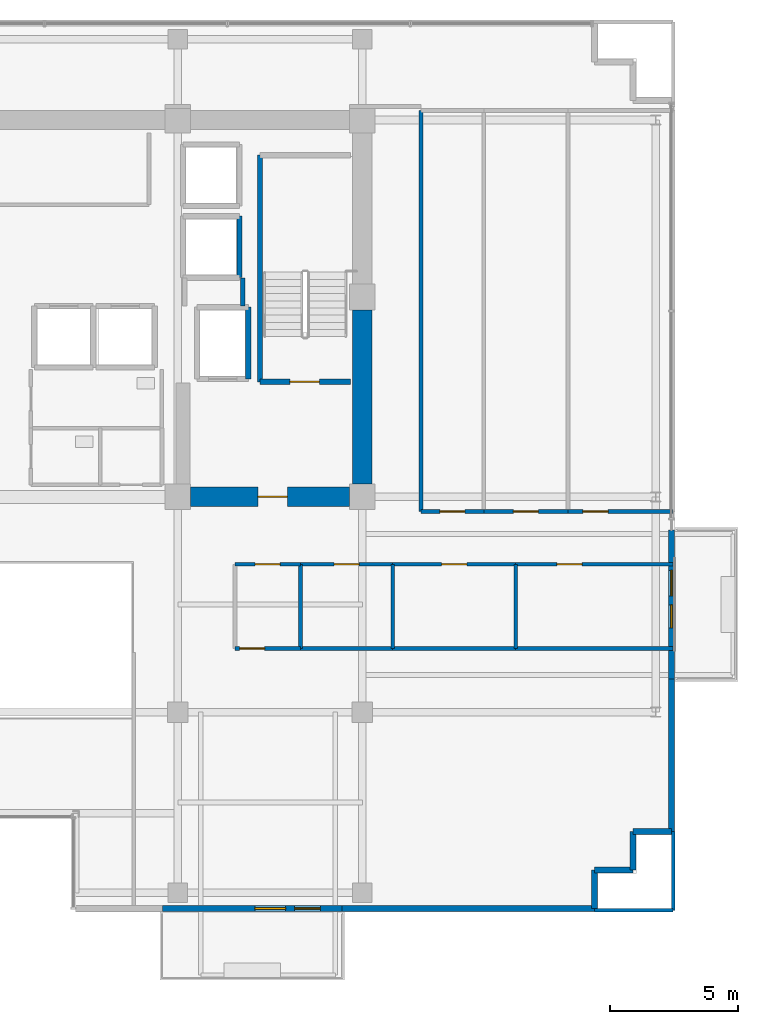
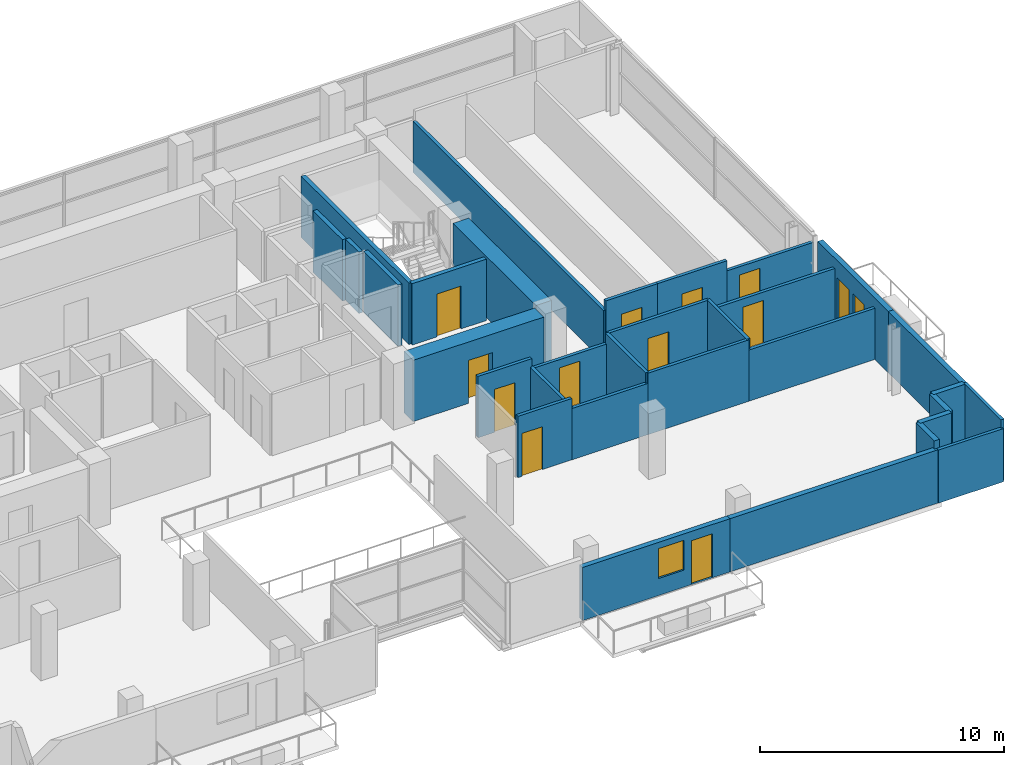
# One storey, part 17 of 21: 32 walls, 12 doors, 2 windows, 14 openings.
"""IFC4 building model written with IfcOpenShell, lengths in metres."""

from ifc_helpers import new_model, si_unit, direction, frame, frame_2d, origin, place, context, subcontext, project, spatial, rectangle, extrude, source, transform, mapped, material, layer, layer_set, type_object, element, fill, save


model = new_model("IFC4")

# Units and contexts
model_context = context("Model", 3, precision=1e-05, world=origin(), true_north=direction((0.0, 1.0)))
body_context = subcontext(model_context, "Body", "Model", "MODEL_VIEW")
ifc_project = project(units=[si_unit("LENGTHUNIT", "METRE"), si_unit("AREAUNIT", "SQUARE_METRE"), si_unit("VOLUMEUNIT", "CUBIC_METRE"), si_unit("PLANEANGLEUNIT", "RADIAN"), si_unit("MASSUNIT", "GRAM", prefix="KILO")], contexts=[model_context])

# Site, building, storey
site_placement = place(None, origin())
site = spatial("IfcSite", under=ifc_project, at=site_placement, CompositionType="ELEMENT")
building_placement = place(site_placement, origin())
building = spatial("IfcBuilding", under=site, at=building_placement, Name="Zarnakvel Exchange Tower", CompositionType="ELEMENT")
storey_placement = place(building_placement, frame((0.0, 0.0, 189.10009765625)))
storey = spatial("IfcBuildingStorey", under=building, at=storey_placement, Name="L53", CompositionType="ELEMENT", Elevation=189.10009765625)

# Wall
ifc_material_1 = material(Name="Concrete C60/75", Category="concrete")
ifc_layer_1 = layer(ifc_material_1, 0.75)
ifc_layer_set_1 = layer_set([ifc_layer_1], Name="Concrete C60/75")
wall_type_1 = type_object("IfcWallType", Name="CW-C3", PredefinedType="SHEAR", material=ifc_layer_set_1)
wall_1_placement = place(storey_placement, frame((14.39990234375, -0.699951171875, 0.0), z_axis=(0.0, 0.0, 1.0), x_axis=(0.0, 1.0, 0.0)))
element("IfcWall", 1, at=wall_1_placement, inside=storey, type_object=wall_type_1, Name="L53 Rear Core Shear Wall E1 (CW-C3)", PredefinedType="SHEAR", context=body_context, shape_type="SweptSolid", body=[
    extrude(rectangle(XDim=6.800048828125, YDim=0.75, at=frame_2d((3.39990234375, 0.0))), origin(), (0.0, 0.0, 1.0), 3.074951171875),
])

# Wall, opening, door
wall_2_placement = place(storey_placement, frame((13.89990234375, -1.199951171875, 0.0), z_axis=(0.0, 0.0, 1.0), x_axis=(-1.0, 0.0, 0.0)))
wall_2 = element("IfcWall", 2, at=wall_2_placement, inside=storey, type_object=wall_type_1, Name="L53 Rear Core Shear Wall SE (CW-C3)", PredefinedType="SHEAR", context=body_context, shape_type="SweptSolid", body=[
    extrude(rectangle(XDim=6.199951171875, YDim=0.75, at=frame_2d((3.10009765625, 0.0))), origin(), (0.0, 0.0, 1.0), 3.074951171875),
])
opening_1_placement = place(wall_2_placement, frame((2.425048828125, 0.0, 0.0)))
opening_1 = element("IfcOpeningElement", 3, at=opening_1_placement, cuts=wall_2, Name="Opening D-L53-04", PredefinedType="OPENING", context=body_context, shape_type="SweptSolid", body=[
    extrude(rectangle(XDim=1.14990234375, YDim=2.14990234375, at=frame_2d((0.574951171875, 1.074951171875))), frame((0.0, 0.385009765625, 0.0), z_axis=(0.0, -1.0, 0.0), x_axis=(1.0, 0.0, 0.0)), (0.0, 0.0, 1.0), 0.77001953125),
])
ifc_material_2 = material(Name="Painted Galvanised Steel S355", Category="steel")
door_type_1 = type_object("IfcDoorType", Name="DT-04", OperationType="NOTDEFINED", PredefinedType="DOOR", material=ifc_material_2)
shared_shape_1 = source(origin(), body_context, "Body", "SweptSolid", [
    extrude(rectangle(XDim=1.14990234375, YDim=2.14990234375, at=frame_2d((0.574951171875, 1.074951171875))), frame((0.0, 0.02490234375, 0.0), z_axis=(0.0, -1.0, 0.0), x_axis=(1.0, 0.0, 0.0)), (0.0, 0.0, 1.0), 0.050048828125),
])
door_1_placement = place(opening_1_placement, origin())
door_1 = element("IfcDoor", 4, at=door_1_placement, inside=storey, type_object=door_type_1, Name="L53 Firefighting Lobby East Door D-L53-04", OperationType="SINGLE_SWING_RIGHT", OverallHeight=2.14990234375, OverallWidth=1.14990234375, PredefinedType="DOOR", context=body_context, shape_type="MappedRepresentation", body=[
    mapped(shared_shape_1, transform((0.0, 0.0, 0.0), x_axis=(1.0, 0.0, 0.0), y_axis=(0.0, 1.0, 0.0), z_axis=(0.0, 0.0, 1.0), scale=1.0)),
])
fill(opening_1, door_1)

# Wall, openings, door, window
ifc_material_3 = material(Name="Precast concrete C40/50", Category="concrete")
ifc_layer_2 = layer(ifc_material_3, 0.239990234375)
ifc_layer_set_2 = layer_set([ifc_layer_2], Name="Precast concrete C40/50")
wall_type_2 = type_object("IfcWallType", Name="EW-02", PredefinedType="SOLIDWALL", material=ifc_layer_set_2)
wall_3_placement = place(storey_placement, frame((13.60009765625, -17.260009765625, 0.0), z_axis=(0.0, 0.0, 1.0), x_axis=(-1.0, 0.0, 0.0)))
wall_3 = element("IfcWall", 5, at=wall_3_placement, inside=storey, type_object=wall_type_2, Name="L53 Exterior Precast Spandrel Wall EW-BAL-L53-SE (EW-02)", PredefinedType="SOLIDWALL", context=body_context, shape_type="SweptSolid", body=[
    extrude(rectangle(XDim=7.0, YDim=0.239990234375, at=frame_2d((3.5, 0.0))), origin(), (0.0, 0.0, 1.0), 2.664794921875),
])
opening_2_placement = place(wall_3_placement, frame((0.840087890625, 0.0, 0.0)))
opening_2 = element("IfcOpeningElement", 6, at=opening_2_placement, cuts=wall_3, Name="Opening BD-L53-02", PredefinedType="OPENING", context=body_context, shape_type="SweptSolid", body=[
    extrude(rectangle(XDim=1.0, YDim=2.199951171875, at=frame_2d((0.5, 1.10009765625))), frame((0.0, 0.1298828125, 0.0), z_axis=(0.0, -1.0, 0.0), x_axis=(1.0, 0.0, 0.0)), (0.0, 0.0, 1.0), 0.260009765625),
])
opening_3_placement = place(wall_3_placement, frame((2.18994140625, 0.0, 0.85009765625)))
opening_3 = element("IfcOpeningElement", 7, at=opening_3_placement, cuts=wall_3, Name="Opening WN-04", PredefinedType="OPENING", context=body_context, shape_type="SweptSolid", body=[
    extrude(rectangle(XDim=1.199951171875, YDim=1.5, at=frame_2d((0.60009765625, 0.75))), frame((0.0, 0.1298828125, 0.0), z_axis=(0.0, -1.0, 0.0), x_axis=(1.0, 0.0, 0.0)), (0.0, 0.0, 1.0), 0.260009765625),
])
ifc_material_4 = material(Name="Architectural Bronze Anodised Aluminium", Category="aluminium")
door_type_2 = type_object("IfcDoorType", Name="DT-09", OperationType="NOTDEFINED", PredefinedType="DOOR", material=ifc_material_4)
shared_shape_2 = source(origin(), body_context, "Body", "SweptSolid", [
    extrude(rectangle(XDim=1.0, YDim=2.199951171875, at=frame_2d((0.5, 1.10009765625))), frame((0.0, 0.02490234375, 0.0), z_axis=(0.0, -1.0, 0.0), x_axis=(1.0, 0.0, 0.0)), (0.0, 0.0, 1.0), 0.050048828125),
])
door_2_placement = place(opening_2_placement, origin())
door_2 = element("IfcDoor", 8, at=door_2_placement, inside=storey, type_object=door_type_2, Name="L53 Planted Loggia Balcony Door BD-L53-02", OperationType="SINGLE_SWING_RIGHT", OverallHeight=2.199951171875, OverallWidth=1.0, PredefinedType="DOOR", context=body_context, shape_type="MappedRepresentation", body=[
    mapped(shared_shape_2, transform((0.0, 0.0, 0.0), x_axis=(1.0, 0.0, 0.0), y_axis=(0.0, 1.0, 0.0), z_axis=(0.0, 0.0, 1.0), scale=1.0)),
])
fill(opening_2, door_2)
ifc_material_5 = material(Name="Double Low-E Laminated Vision Glass", Category="glass")
window_type_1 = type_object("IfcWindowType", Name="WN-04", PartitioningType="SINGLE_PANEL", PredefinedType="WINDOW", material=ifc_material_5)
shared_shape_3 = source(origin(), body_context, "Body", "SweptSolid", [
    extrude(rectangle(XDim=1.199951171875, YDim=1.5, at=frame_2d((0.60009765625, 0.75))), frame((0.0, 0.030029296875, 0.0), z_axis=(0.0, -1.0, 0.0), x_axis=(1.0, 0.0, 0.0)), (0.0, 0.0, 1.0), 0.06005859375),
])
window_1_placement = place(opening_3_placement, origin())
window_1 = element("IfcWindow", 9, at=window_1_placement, inside=storey, type_object=window_type_1, Name="L53 Loggia Daylight Window (WN-04)", OverallHeight=1.5, OverallWidth=1.199951171875, PartitioningType="SINGLE_PANEL", PredefinedType="WINDOW", context=body_context, shape_type="MappedRepresentation", body=[
    mapped(shared_shape_3, transform((0.0, 0.0, 0.0), x_axis=(1.0, 0.0, 0.0), y_axis=(0.0, 1.0, 0.0), z_axis=(0.0, 0.0, 1.0), scale=1.0)),
])
fill(opening_3, window_1)

wall_4_placement = place(storey_placement, frame((26.4599609375, -2.5, 0.0), z_axis=(0.0, 0.0, 1.0), x_axis=(0.0, -1.0, 0.0)))
wall_4 = element("IfcWall", 10, at=wall_4_placement, inside=storey, type_object=wall_type_2, Name="L53 Exterior Precast Spandrel Wall EW-BAL-L53-E (EW-02)", PredefinedType="SOLIDWALL", context=body_context, shape_type="SweptSolid", body=[
    extrude(rectangle(XDim=5.800048828125, YDim=0.239990234375, at=frame_2d((2.89990234375, 0.0))), origin(), (0.0, 0.0, 1.0), 3.074951171875),
])
opening_4_placement = place(wall_4_placement, frame((1.56591796875, 0.0, 0.0)))
opening_4 = element("IfcOpeningElement", 11, at=opening_4_placement, cuts=wall_4, Name="Opening BD-L53-03", PredefinedType="OPENING", context=body_context, shape_type="SweptSolid", body=[
    extrude(rectangle(XDim=1.0, YDim=2.199951171875, at=frame_2d((0.5, 1.10009765625))), frame((0.0, 0.1298828125, 0.0), z_axis=(0.0, -1.0, 0.0), x_axis=(1.0, 0.0, 0.0)), (0.0, 0.0, 1.0), 0.260009765625),
])
opening_5_placement = place(wall_4_placement, frame((2.916015625, 0.0, 0.85009765625)))
opening_5 = element("IfcOpeningElement", 12, at=opening_5_placement, cuts=wall_4, Name="Opening WN-06", PredefinedType="OPENING", context=body_context, shape_type="SweptSolid", body=[
    extrude(rectangle(XDim=0.89990234375, YDim=1.35009765625, at=frame_2d((0.449951171875, 0.675048828125))), frame((0.0, 0.1298828125, 0.0), z_axis=(0.0, -1.0, 0.0), x_axis=(1.0, 0.0, 0.0)), (0.0, 0.0, 1.0), 0.260009765625),
])
door_3_placement = place(opening_4_placement, origin())
door_3 = element("IfcDoor", 13, at=door_3_placement, inside=storey, type_object=door_type_2, Name="L53 Planted Loggia Balcony Door BD-L53-03", OperationType="SINGLE_SWING_LEFT", OverallHeight=2.199951171875, OverallWidth=1.0, PredefinedType="DOOR", context=body_context, shape_type="MappedRepresentation", body=[
    mapped(shared_shape_2, transform((0.0, 0.0, 0.0), x_axis=(1.0, 0.0, 0.0), y_axis=(0.0, 1.0, 0.0), z_axis=(0.0, 0.0, 1.0), scale=1.0)),
])
fill(opening_4, door_3)
window_type_2 = type_object("IfcWindowType", Name="WN-06", PartitioningType="SINGLE_PANEL", PredefinedType="WINDOW", material=ifc_material_5)
shared_shape_4 = source(origin(), body_context, "Body", "SweptSolid", [
    extrude(rectangle(XDim=0.89990234375, YDim=1.35009765625, at=frame_2d((0.449951171875, 0.675048828125))), frame((0.0, 0.030029296875, 0.0), z_axis=(0.0, -1.0, 0.0), x_axis=(1.0, 0.0, 0.0)), (0.0, 0.0, 1.0), 0.06005859375),
])
window_2_placement = place(opening_5_placement, origin())
window_2 = element("IfcWindow", 14, at=window_2_placement, inside=storey, type_object=window_type_2, Name="L53 Loggia Daylight Window (WN-06)", OverallHeight=1.35009765625, OverallWidth=0.89990234375, PartitioningType="SINGLE_PANEL", PredefinedType="WINDOW", context=body_context, shape_type="MappedRepresentation", body=[
    mapped(shared_shape_4, transform((0.0, 0.0, 0.0), x_axis=(1.0, 0.0, 0.0), y_axis=(0.0, 1.0, 0.0), z_axis=(0.0, 0.0, 1.0), scale=1.0)),
])
fill(opening_5, window_2)

# Walls
wall_5_placement = place(storey_placement, frame((26.4599609375, -14.260009765625, 0.0), z_axis=(0.0, 0.0, 1.0), x_axis=(0.0, 1.0, 0.0)))
element("IfcWall", 15, at=wall_5_placement, inside=storey, type_object=wall_type_2, Name="L53 Exterior Precast Spandrel Wall EWC-L53-10 (EW-02)", PredefinedType="SOLIDWALL", context=body_context, shape_type="SweptSolid", body=[
    extrude(rectangle(XDim=5.9599609375, YDim=0.239990234375, at=frame_2d((2.97998046875, 0.0))), origin(), (0.0, 0.0, 1.0), 3.074951171875),
])
for number, where, z_axis, x_axis, name in (
    (16, (24.9599609375, -14.260009765625, 0.0), (0.0, 0.0, 1.0), (1.0, 0.0, 0.0), "L53 Exterior Precast Spandrel Wall EWC-L53-11 (EW-02)"),
    (17, (24.9599609375, -15.760009765625, 0.0), (0.0, 0.0, 1.0), (0.0, 1.0, 0.0), "L53 Exterior Precast Spandrel Wall EWC-L53-12 (EW-02)"),
    (18, (23.4599609375, -15.760009765625, 0.0), (0.0, 0.0, 1.0), (1.0, 0.0, 0.0), "L53 Exterior Precast Spandrel Wall EWC-L53-13 (EW-02)"),
    (19, (23.4599609375, -17.260009765625, 0.0), (0.0, 0.0, 1.0), (0.0, 1.0, 0.0), "L53 Exterior Precast Spandrel Wall EWC-L53-14 (EW-02)"),
):
    element("IfcWall", number, at=place(storey_placement, frame(where, z_axis=z_axis, x_axis=x_axis)), inside=storey, type_object=wall_type_2, Name=name, PredefinedType="SOLIDWALL", context=body_context, shape_type="SweptSolid", body=[
        extrude(rectangle(XDim=1.5, YDim=0.239990234375, at=frame_2d((0.75, 0.0))), origin(), (0.0, 0.0, 1.0), 3.074951171875),
    ])
wall_6_placement = place(storey_placement, frame((13.60009765625, -17.260009765625, 0.0), z_axis=(0.0, 0.0, 1.0), x_axis=(1.0, 0.0, 0.0)))
element("IfcWall", 20, at=wall_6_placement, inside=storey, type_object=wall_type_2, Name="L53 Exterior Precast Spandrel Wall EWC-L53-15 (EW-02)", PredefinedType="SOLIDWALL", context=body_context, shape_type="SweptSolid", body=[
    extrude(rectangle(XDim=9.85986328125, YDim=0.239990234375, at=frame_2d((4.929931640625, 0.0))), origin(), (0.0, 0.0, 1.0), 2.664794921875),
])

# Wall, opening, door
ifc_material_6 = material(Name="Fire-Rated Gypsum Stud Partition", Category="gypsum")
ifc_layer_3 = layer(ifc_material_6, 0.14990234375)
ifc_layer_set_3 = layer_set([ifc_layer_3], Name="Fire-Rated Gypsum Stud Partition")
wall_type_3 = type_object("IfcWallType", Name="PT-01", PredefinedType="PARTITIONING", material=ifc_layer_set_3)
wall_7_placement = place(storey_placement, frame((11.984130859375, -7.1201171875, 0.0), z_axis=(0.0, 0.0, 1.0), x_axis=(-1.0, 0.0, 0.0)))
wall_7 = element("IfcWall", 21, at=wall_7_placement, inside=storey, type_object=wall_type_3, Name="L53 Partition Wall PWALL-L53-038 (PT-01)", PredefinedType="PARTITIONING", context=body_context, shape_type="SweptSolid", body=[
    extrude(rectangle(XDim=2.55419921875, YDim=0.14990234375, at=frame_2d((1.277099609375, 0.0))), origin(), (0.0, 0.0, 1.0), 3.074951171875),
])
opening_6_placement = place(wall_7_placement, frame((1.394287109375, 0.0, 0.0)))
opening_6 = element("IfcOpeningElement", 22, at=opening_6_placement, cuts=wall_7, Name="Opening D-L53-18", PredefinedType="OPENING", context=body_context, shape_type="SweptSolid", body=[
    extrude(rectangle(XDim=0.97998046875, YDim=2.14990234375, at=frame_2d((0.489990234375, 1.074951171875))), frame((0.0, 0.0849609375, 0.0), z_axis=(0.0, -1.0, 0.0), x_axis=(1.0, 0.0, 0.0)), (0.0, 0.0, 1.0), 0.169921875),
])
ifc_material_7 = material(Name="Timber Acoustic Veneer", Category="wood")
door_type_3 = type_object("IfcDoorType", Name="DT-05", OperationType="NOTDEFINED", PredefinedType="DOOR", material=ifc_material_7)
shared_shape_5 = source(origin(), body_context, "Body", "SweptSolid", [
    extrude(rectangle(XDim=0.97998046875, YDim=2.14990234375, at=frame_2d((0.489990234375, 1.074951171875))), frame((0.0, 0.02490234375, 0.0), z_axis=(0.0, -1.0, 0.0), x_axis=(1.0, 0.0, 0.0)), (0.0, 0.0, 1.0), 0.050048828125),
])
door_4_placement = place(opening_6_placement, origin())
door_4 = element("IfcDoor", 23, at=door_4_placement, inside=storey, type_object=door_type_3, Name="L53 Asset Management Office Door D-L53-18", OperationType="SINGLE_SWING_RIGHT", OverallHeight=2.14990234375, OverallWidth=0.97998046875, PredefinedType="DOOR", context=body_context, shape_type="MappedRepresentation", body=[
    mapped(shared_shape_5, transform((0.0, 0.0, 0.0), x_axis=(1.0, 0.0, 0.0), y_axis=(0.0, 1.0, 0.0), z_axis=(0.0, 0.0, 1.0), scale=1.0)),
])
fill(opening_6, door_4)

wall_8_placement = place(storey_placement, frame((9.429931640625, -3.830078125, 0.0), z_axis=(0.0, 0.0, 1.0), x_axis=(1.0, 0.0, 0.0)))
wall_8 = element("IfcWall", 24, at=wall_8_placement, inside=storey, type_object=wall_type_3, Name="L53 Partition Wall PWALL-L53-039 (PT-01)", PredefinedType="PARTITIONING", context=body_context, shape_type="SweptSolid", body=[
    extrude(rectangle(XDim=2.55419921875, YDim=0.14990234375, at=frame_2d((1.277099609375, 0.0))), origin(), (0.0, 0.0, 1.0), 3.074951171875),
])
opening_7_placement = place(wall_8_placement, frame((0.787109375, 0.0, 0.0)))
opening_7 = element("IfcOpeningElement", 25, at=opening_7_placement, cuts=wall_8, Name="Opening D-L53-14", PredefinedType="OPENING", context=body_context, shape_type="SweptSolid", body=[
    extrude(rectangle(XDim=0.97998046875, YDim=2.14990234375, at=frame_2d((0.489990234375, 1.074951171875))), frame((0.0, 0.0849609375, 0.0), z_axis=(0.0, -1.0, 0.0), x_axis=(1.0, 0.0, 0.0)), (0.0, 0.0, 1.0), 0.169921875),
])
door_5_placement = place(opening_7_placement, origin())
door_5 = element("IfcDoor", 26, at=door_5_placement, inside=storey, type_object=door_type_3, Name="L53 Meeting Room Door D-L53-14", OperationType="SINGLE_SWING_RIGHT", OverallHeight=2.14990234375, OverallWidth=0.97998046875, PredefinedType="DOOR", context=body_context, shape_type="MappedRepresentation", body=[
    mapped(shared_shape_5, transform((0.0, 0.0, 0.0), x_axis=(1.0, 0.0, 0.0), y_axis=(0.0, 1.0, 0.0), z_axis=(0.0, 0.0, 1.0), scale=1.0)),
])
fill(opening_7, door_5)

# Walls
wall_9_placement = place(storey_placement, frame((11.984130859375, -3.830078125, 0.0), z_axis=(0.0, 0.0, 1.0), x_axis=(0.0, -1.0, 0.0)))
element("IfcWall", 27, at=wall_9_placement, inside=storey, type_object=wall_type_3, Name="L53 Partition Wall PWALL-L53-041 (PT-01)", PredefinedType="PARTITIONING", context=body_context, shape_type="SweptSolid", body=[
    extrude(rectangle(XDim=3.2900390625, YDim=0.14990234375, at=frame_2d((1.64501953125, 0.0))), origin(), (0.0, 0.0, 1.0), 2.664794921875),
])
wall_10_placement = place(storey_placement, frame((15.585693359375, -7.1201171875, 0.0), z_axis=(0.0, 0.0, 1.0), x_axis=(-1.0, 0.0, 0.0)))
element("IfcWall", 28, at=wall_10_placement, inside=storey, type_object=wall_type_3, Name="L53 Partition Wall PWALL-L53-042 (PT-01)", PredefinedType="PARTITIONING", context=body_context, shape_type="SweptSolid", body=[
    extrude(rectangle(XDim=3.6015625, YDim=0.14990234375, at=frame_2d((1.80078125, 0.0))), origin(), (0.0, 0.0, 1.0), 2.56494140625),
])

# Wall, opening, door
wall_11_placement = place(storey_placement, frame((11.984130859375, -3.830078125, 0.0), z_axis=(0.0, 0.0, 1.0), x_axis=(1.0, 0.0, 0.0)))
wall_11 = element("IfcWall", 29, at=wall_11_placement, inside=storey, type_object=wall_type_3, Name="L53 Partition Wall PWALL-L53-043 (PT-01)", PredefinedType="PARTITIONING", context=body_context, shape_type="SweptSolid", body=[
    extrude(rectangle(XDim=3.6015625, YDim=0.14990234375, at=frame_2d((1.80078125, 0.0))), origin(), (0.0, 0.0, 1.0), 2.56494140625),
])
opening_8_placement = place(wall_11_placement, frame((1.310791015625, 0.0, 0.0)))
opening_8 = element("IfcOpeningElement", 30, at=opening_8_placement, cuts=wall_11, Name="Opening D-L53-15", PredefinedType="OPENING", context=body_context, shape_type="SweptSolid", body=[
    extrude(rectangle(XDim=0.97998046875, YDim=2.14990234375, at=frame_2d((0.489990234375, 1.074951171875))), frame((0.0, 0.0849609375, 0.0), z_axis=(0.0, -1.0, 0.0), x_axis=(1.0, 0.0, 0.0)), (0.0, 0.0, 1.0), 0.169921875),
])
door_6_placement = place(opening_8_placement, origin())
door_6 = element("IfcDoor", 31, at=door_6_placement, inside=storey, type_object=door_type_3, Name="L53 Executive Office Door D-L53-15", OperationType="SINGLE_SWING_LEFT", OverallHeight=2.14990234375, OverallWidth=0.97998046875, PredefinedType="DOOR", context=body_context, shape_type="MappedRepresentation", body=[
    mapped(shared_shape_5, transform((0.0, 0.0, 0.0), x_axis=(1.0, 0.0, 0.0), y_axis=(0.0, 1.0, 0.0), z_axis=(0.0, 0.0, 1.0), scale=1.0)),
])
fill(opening_8, door_6)

# Walls
wall_12_placement = place(storey_placement, frame((15.585693359375, -3.830078125, 0.0), z_axis=(0.0, 0.0, 1.0), x_axis=(0.0, -1.0, 0.0)))
element("IfcWall", 32, at=wall_12_placement, inside=storey, type_object=wall_type_3, Name="L53 Partition Wall PWALL-L53-044 (PT-01)", PredefinedType="PARTITIONING", context=body_context, shape_type="SweptSolid", body=[
    extrude(rectangle(XDim=3.2900390625, YDim=0.14990234375, at=frame_2d((1.64501953125, 0.0))), origin(), (0.0, 0.0, 1.0), 3.074951171875),
])
wall_13_placement = place(storey_placement, frame((20.384521484375, -7.1201171875, 0.0), z_axis=(0.0, 0.0, 1.0), x_axis=(-1.0, 0.0, 0.0)))
element("IfcWall", 33, at=wall_13_placement, inside=storey, type_object=wall_type_3, Name="L53 Partition Wall PWALL-L53-045 (PT-01)", PredefinedType="PARTITIONING", context=body_context, shape_type="SweptSolid", body=[
    extrude(rectangle(XDim=4.798828125, YDim=0.14990234375, at=frame_2d((2.3994140625, 0.0))), origin(), (0.0, 0.0, 1.0), 3.074951171875),
])

# Wall, opening, door
wall_14_placement = place(storey_placement, frame((15.585693359375, -3.830078125, 0.0), z_axis=(0.0, 0.0, 1.0), x_axis=(1.0, 0.0, 0.0)))
wall_14 = element("IfcWall", 34, at=wall_14_placement, inside=storey, type_object=wall_type_3, Name="L53 Partition Wall PWALL-L53-046 (PT-01)", PredefinedType="PARTITIONING", context=body_context, shape_type="SweptSolid", body=[
    extrude(rectangle(XDim=4.798828125, YDim=0.14990234375, at=frame_2d((2.3994140625, 0.0))), origin(), (0.0, 0.0, 1.0), 3.074951171875),
])
opening_9_placement = place(wall_14_placement, frame((1.9091796875, 0.0, 0.0)))
opening_9 = element("IfcOpeningElement", 35, at=opening_9_placement, cuts=wall_14, Name="Opening D-L53-16", PredefinedType="OPENING", context=body_context, shape_type="SweptSolid", body=[
    extrude(rectangle(XDim=0.97998046875, YDim=2.14990234375, at=frame_2d((0.489990234375, 1.074951171875))), frame((0.0, 0.0849609375, 0.0), z_axis=(0.0, -1.0, 0.0), x_axis=(1.0, 0.0, 0.0)), (0.0, 0.0, 1.0), 0.169921875),
])
door_7_placement = place(opening_9_placement, origin())
door_7 = element("IfcDoor", 36, at=door_7_placement, inside=storey, type_object=door_type_3, Name="L53 Staff Pantry Door D-L53-16", OperationType="SINGLE_SWING_RIGHT", OverallHeight=2.14990234375, OverallWidth=0.97998046875, PredefinedType="DOOR", context=body_context, shape_type="MappedRepresentation", body=[
    mapped(shared_shape_5, transform((0.0, 0.0, 0.0), x_axis=(1.0, 0.0, 0.0), y_axis=(0.0, 1.0, 0.0), z_axis=(0.0, 0.0, 1.0), scale=1.0)),
])
fill(opening_9, door_7)

# Walls
wall_15_placement = place(storey_placement, frame((20.384521484375, -3.830078125, 0.0), z_axis=(0.0, 0.0, 1.0), x_axis=(0.0, -1.0, 0.0)))
element("IfcWall", 37, at=wall_15_placement, inside=storey, type_object=wall_type_3, Name="L53 Partition Wall PWALL-L53-047 (PT-01)", PredefinedType="PARTITIONING", context=body_context, shape_type="SweptSolid", body=[
    extrude(rectangle(XDim=3.2900390625, YDim=0.14990234375, at=frame_2d((1.64501953125, 0.0))), origin(), (0.0, 0.0, 1.0), 3.074951171875),
])
wall_16_placement = place(storey_placement, frame((26.530029296875, -7.1201171875, 0.0), z_axis=(0.0, 0.0, 1.0), x_axis=(-1.0, 0.0, 0.0)))
element("IfcWall", 38, at=wall_16_placement, inside=storey, type_object=wall_type_3, Name="L53 Partition Wall PWALL-L53-048 (PT-01)", PredefinedType="PARTITIONING", context=body_context, shape_type="SweptSolid", body=[
    extrude(rectangle(XDim=6.1455078125, YDim=0.14990234375, at=frame_2d((3.07275390625, 0.0))), origin(), (0.0, 0.0, 1.0), 2.56494140625),
])

# Wall, opening, door
wall_17_placement = place(storey_placement, frame((20.384521484375, -3.830078125, 0.0), z_axis=(0.0, 0.0, 1.0), x_axis=(1.0, 0.0, 0.0)))
wall_17 = element("IfcWall", 39, at=wall_17_placement, inside=storey, type_object=wall_type_3, Name="L53 Partition Wall PWALL-L53-049 (PT-01)", PredefinedType="PARTITIONING", context=body_context, shape_type="SweptSolid", body=[
    extrude(rectangle(XDim=6.1455078125, YDim=0.14990234375, at=frame_2d((3.07275390625, 0.0))), origin(), (0.0, 0.0, 1.0), 2.56494140625),
])
opening_10_placement = place(wall_17_placement, frame((1.607421875, 0.0, 0.0)))
opening_10 = element("IfcOpeningElement", 40, at=opening_10_placement, cuts=wall_17, Name="Opening D-L53-17", PredefinedType="OPENING", context=body_context, shape_type="SweptSolid", body=[
    extrude(rectangle(XDim=0.97998046875, YDim=2.14990234375, at=frame_2d((0.489990234375, 1.074951171875))), frame((0.0, 0.0849609375, 0.0), z_axis=(0.0, -1.0, 0.0), x_axis=(1.0, 0.0, 0.0)), (0.0, 0.0, 1.0), 0.169921875),
])
door_8_placement = place(opening_10_placement, origin())
door_8 = element("IfcDoor", 41, at=door_8_placement, inside=storey, type_object=door_type_3, Name="L53 Risk Analytics Suite Door D-L53-17", OperationType="SINGLE_SWING_LEFT", OverallHeight=2.14990234375, OverallWidth=0.97998046875, PredefinedType="DOOR", context=body_context, shape_type="MappedRepresentation", body=[
    mapped(shared_shape_5, transform((0.0, 0.0, 0.0), x_axis=(1.0, 0.0, 0.0), y_axis=(0.0, 1.0, 0.0), z_axis=(0.0, 0.0, 1.0), scale=1.0)),
])
fill(opening_10, door_8)

# Walls
wall_18_placement = place(storey_placement, frame((26.530029296875, -17.330078125, 0.0), z_axis=(0.0, 0.0, 1.0), x_axis=(-1.0, 0.0, 0.0)))
element("IfcWall", 42, at=wall_18_placement, inside=storey, type_object=wall_type_3, Name="L53 Partition Wall PWALL-L53-051 (PT-01)", PredefinedType="PARTITIONING", context=body_context, shape_type="SweptSolid", body=[
    extrude(rectangle(XDim=3.070068359375, YDim=0.14990234375, at=frame_2d((1.53515625, 0.0))), origin(), (0.0, 0.0, 1.0), 2.664794921875),
])
wall_19_placement = place(storey_placement, frame((26.530029296875, -14.260009765625, 0.0), z_axis=(0.0, 0.0, 1.0), x_axis=(0.0, -1.0, 0.0)))
element("IfcWall", 43, at=wall_19_placement, inside=storey, type_object=wall_type_3, Name="L53 Partition Wall PWALL-L53-053 (PT-01)", PredefinedType="PARTITIONING", context=body_context, shape_type="SweptSolid", body=[
    extrude(rectangle(XDim=3.070068359375, YDim=0.14990234375, at=frame_2d((1.53515625, 0.0))), origin(), (0.0, 0.0, 1.0), 3.074951171875),
])

# Wall, opening, door
wall_20_placement = place(storey_placement, frame((19.137939453125, -1.77001953125, 0.0), z_axis=(0.0, 0.0, 1.0), x_axis=(-1.0, 0.0, 0.0)))
wall_20 = element("IfcWall", 44, at=wall_20_placement, inside=storey, type_object=wall_type_3, Name="L53 Partition Wall PWALL-L53-058 (PT-01)", PredefinedType="PARTITIONING", context=body_context, shape_type="SweptSolid", body=[
    extrude(rectangle(XDim=2.447998046875, YDim=0.14990234375, at=frame_2d((1.22412109375, 0.0))), origin(), (0.0, 0.0, 1.0), 3.074951171875),
])
opening_11_placement = place(wall_20_placement, frame((0.73388671875, 0.0, 0.0)))
opening_11 = element("IfcOpeningElement", 45, at=opening_11_placement, cuts=wall_20, Name="Opening D-L53-20", PredefinedType="OPENING", context=body_context, shape_type="SweptSolid", body=[
    extrude(rectangle(XDim=0.97998046875, YDim=2.14990234375, at=frame_2d((0.489990234375, 1.074951171875))), frame((0.0, 0.0849609375, 0.0), z_axis=(0.0, -1.0, 0.0), x_axis=(1.0, 0.0, 0.0)), (0.0, 0.0, 1.0), 0.169921875),
])
door_9_placement = place(opening_11_placement, origin())
door_9 = element("IfcDoor", 46, at=door_9_placement, inside=storey, type_object=door_type_3, Name="L53 Risk Analytics Suite Door D-L53-20", OperationType="SINGLE_SWING_RIGHT", OverallHeight=2.14990234375, OverallWidth=0.97998046875, PredefinedType="DOOR", context=body_context, shape_type="MappedRepresentation", body=[
    mapped(shared_shape_5, transform((0.0, 0.0, 0.0), x_axis=(1.0, 0.0, 0.0), y_axis=(0.0, 1.0, 0.0), z_axis=(0.0, 0.0, 1.0), scale=1.0)),
])
fill(opening_11, door_9)

# Wall
wall_21_placement = place(storey_placement, frame((16.68994140625, -1.77001953125, 0.0), z_axis=(0.0, 0.0, 1.0), x_axis=(0.0, 1.0, 0.0)))
element("IfcWall", 47, at=wall_21_placement, inside=storey, type_object=wall_type_3, Name="L53 Partition Wall PWALL-L53-060 (PT-01)", PredefinedType="PARTITIONING", context=body_context, shape_type="SweptSolid", body=[
    extrude(rectangle(XDim=15.64990234375, YDim=0.14990234375, at=frame_2d((7.824951171875, 0.0))), origin(), (0.0, 0.0, 1.0), 2.56494140625),
])

# Wall, opening, door
wall_22_placement = place(storey_placement, frame((22.41796875, -1.77001953125, 0.0), z_axis=(0.0, 0.0, 1.0), x_axis=(-1.0, 0.0, 0.0)))
wall_22 = element("IfcWall", 48, at=wall_22_placement, inside=storey, type_object=wall_type_3, Name="L53 Partition Wall PWALL-L53-062 (PT-01)", PredefinedType="PARTITIONING", context=body_context, shape_type="SweptSolid", body=[
    extrude(rectangle(XDim=3.280029296875, YDim=0.14990234375, at=frame_2d((1.64013671875, 0.0))), origin(), (0.0, 0.0, 1.0), 3.074951171875),
])
opening_12_placement = place(wall_22_placement, frame((1.14990234375, 0.0, 0.0)))
opening_12 = element("IfcOpeningElement", 49, at=opening_12_placement, cuts=wall_22, Name="Opening D-L53-21", PredefinedType="OPENING", context=body_context, shape_type="SweptSolid", body=[
    extrude(rectangle(XDim=0.97998046875, YDim=2.14990234375, at=frame_2d((0.489990234375, 1.074951171875))), frame((0.0, 0.0849609375, 0.0), z_axis=(0.0, -1.0, 0.0), x_axis=(1.0, 0.0, 0.0)), (0.0, 0.0, 1.0), 0.169921875),
])
door_10_placement = place(opening_12_placement, origin())
door_10 = element("IfcDoor", 50, at=door_10_placement, inside=storey, type_object=door_type_3, Name="L53 Members Lounge Door D-L53-21", OperationType="SINGLE_SWING_LEFT", OverallHeight=2.14990234375, OverallWidth=0.97998046875, PredefinedType="DOOR", context=body_context, shape_type="MappedRepresentation", body=[
    mapped(shared_shape_5, transform((0.0, 0.0, 0.0), x_axis=(1.0, 0.0, 0.0), y_axis=(0.0, 1.0, 0.0), z_axis=(0.0, 0.0, 1.0), scale=1.0)),
])
fill(opening_12, door_10)

wall_23_placement = place(storey_placement, frame((26.530029296875, -1.77001953125, 0.0), z_axis=(0.0, 0.0, 1.0), x_axis=(-1.0, 0.0, 0.0)))
wall_23 = element("IfcWall", 51, at=wall_23_placement, inside=storey, type_object=wall_type_3, Name="L53 Partition Wall PWALL-L53-065 (PT-01)", PredefinedType="PARTITIONING", context=body_context, shape_type="SweptSolid", body=[
    extrude(rectangle(XDim=4.112060546875, YDim=0.14990234375, at=frame_2d((2.05615234375, 0.0))), origin(), (0.0, 0.0, 1.0), 2.56494140625),
])
opening_13_placement = place(wall_23_placement, frame((2.541015625, 0.0, 0.0)))
opening_13 = element("IfcOpeningElement", 52, at=opening_13_placement, cuts=wall_23, Name="Opening D-L53-22", PredefinedType="OPENING", context=body_context, shape_type="SweptSolid", body=[
    extrude(rectangle(XDim=0.97998046875, YDim=2.14990234375, at=frame_2d((0.489990234375, 1.074951171875))), frame((0.0, 0.0849609375, 0.0), z_axis=(0.0, -1.0, 0.0), x_axis=(1.0, 0.0, 0.0)), (0.0, 0.0, 1.0), 0.169921875),
])
door_11_placement = place(opening_13_placement, origin())
door_11 = element("IfcDoor", 53, at=door_11_placement, inside=storey, type_object=door_type_3, Name="L53 Equities Trading Floor Door D-L53-22", OperationType="SINGLE_SWING_RIGHT", OverallHeight=2.14990234375, OverallWidth=0.97998046875, PredefinedType="DOOR", context=body_context, shape_type="MappedRepresentation", body=[
    mapped(shared_shape_5, transform((0.0, 0.0, 0.0), x_axis=(1.0, 0.0, 0.0), y_axis=(0.0, 1.0, 0.0), z_axis=(0.0, 0.0, 1.0), scale=1.0)),
])
fill(opening_13, door_11)

# Walls
ifc_layer_4 = layer(ifc_material_6, 0.179931640625)
ifc_layer_set_4 = layer_set([ifc_layer_4], Name="Fire-Rated Gypsum Stud Partition")
wall_type_4 = type_object("IfcWallType", Name="PT-02", PredefinedType="PARTITIONING", material=ifc_layer_set_4)
wall_24_placement = place(storey_placement, frame((9.72998046875, 7.330078125, 0.0), z_axis=(0.0, 0.0, 1.0), x_axis=(0.0, -1.0, 0.0)))
element("IfcWall", 54, at=wall_24_placement, inside=storey, type_object=wall_type_4, Name="L53 Partition Wall PWALL-L53-010 (PT-02)", PredefinedType="PARTITIONING", context=body_context, shape_type="SweptSolid", body=[
    extrude(rectangle(XDim=1.090087890625, YDim=0.179931640625, at=frame_2d((0.544921875, 0.0))), origin(), (0.0, 0.0, 1.0), 3.074951171875),
])
ifc_material_8 = material(Name="Concrete C40/50", Category="concrete")
ifc_layer_5 = layer(ifc_material_8, 0.199951171875)
ifc_layer_set_5 = layer_set([ifc_layer_5], Name="Concrete C40/50")
wall_type_5 = type_object("IfcWallType", Name="SW-01", PredefinedType="SOLIDWALL", material=ifc_layer_set_5)
wall_25_placement = place(storey_placement, frame((9.949951171875, 6.199951171875, 0.0), z_axis=(0.0, 0.0, 1.0), x_axis=(0.0, -1.0, 0.0)))
element("IfcWall", 55, at=wall_25_placement, inside=storey, type_object=wall_type_5, Name="L53 FL-02 Hoistway Wall East", PredefinedType="SOLIDWALL", context=body_context, shape_type="SweptSolid", body=[
    extrude(rectangle(XDim=2.800048828125, YDim=0.199951171875, at=frame_2d((1.39990234375, 0.0))), origin(), (0.0, 0.0, 1.0), 3.074951171875),
])
wall_26_placement = place(storey_placement, frame((9.60009765625, 9.75, 0.0), z_axis=(0.0, 0.0, 1.0), x_axis=(0.0, -1.0, 0.0)))
element("IfcWall", 56, at=wall_26_placement, inside=storey, type_object=wall_type_5, Name="L53 PL-11 Hoistway Wall East", PredefinedType="SOLIDWALL", context=body_context, shape_type="SweptSolid", body=[
    extrude(rectangle(XDim=2.39990234375, YDim=0.199951171875, at=frame_2d((1.199951171875, 0.0))), origin(), (0.0, 0.0, 1.0), 3.074951171875),
])

# Wall, opening, door
ifc_layer_6 = layer(ifc_material_8, 0.199951171875)
ifc_layer_set_6 = layer_set([ifc_layer_6], Name="Concrete C40/50")
wall_type_6 = type_object("IfcWallType", Name="SW-02", PredefinedType="SOLIDWALL", material=ifc_layer_set_6)
wall_27_placement = place(storey_placement, frame((13.929931640625, 3.2900390625, 0.0), z_axis=(0.0, 0.0, 1.0), x_axis=(-1.0, 0.0, 0.0)))
wall_27 = element("IfcWall", 57, at=wall_27_placement, inside=storey, type_object=wall_type_6, Name="L53 Stairwell Core Wall PWALL-L53-004 (SW-02)", PredefinedType="SOLIDWALL", context=body_context, shape_type="SweptSolid", body=[
    extrude(rectangle(XDim=3.52001953125, YDim=0.199951171875, at=frame_2d((1.760009765625, 0.0))), origin(), (0.0, 0.0, 1.0), 3.074951171875),
])
opening_14_placement = place(wall_27_placement, frame((1.205078125, 0.0, 0.0)))
opening_14 = element("IfcOpeningElement", 58, at=opening_14_placement, cuts=wall_27, Name="Opening D-L53-02", PredefinedType="OPENING", context=body_context, shape_type="SweptSolid", body=[
    extrude(rectangle(XDim=1.14990234375, YDim=2.14990234375, at=frame_2d((0.574951171875, 1.074951171875))), frame((0.0, 0.10986328125, 0.0), z_axis=(0.0, -1.0, 0.0), x_axis=(1.0, 0.0, 0.0)), (0.0, 0.0, 1.0), 0.219970703125),
])
door_12_placement = place(opening_14_placement, origin())
door_12 = element("IfcDoor", 59, at=door_12_placement, inside=storey, type_object=door_type_1, Name="L53 Stairwell ST-02 Door D-L53-02", OperationType="SINGLE_SWING_RIGHT", OverallHeight=2.14990234375, OverallWidth=1.14990234375, PredefinedType="DOOR", context=body_context, shape_type="MappedRepresentation", body=[
    mapped(shared_shape_1, transform((0.0, 0.0, 0.0), x_axis=(1.0, 0.0, 0.0), y_axis=(0.0, 1.0, 0.0), z_axis=(0.0, 0.0, 1.0), scale=1.0)),
])
fill(opening_14, door_12)

# Wall
wall_28_placement = place(storey_placement, frame((10.409912109375, 3.2900390625, 0.0), z_axis=(0.0, 0.0, 1.0), x_axis=(0.0, 1.0, 0.0)))
element("IfcWall", 60, at=wall_28_placement, inside=storey, type_object=wall_type_6, Name="L53 Stairwell Core Wall PWALL-L53-006 (SW-02)", PredefinedType="SOLIDWALL", context=body_context, shape_type="SweptSolid", body=[
    extrude(rectangle(XDim=8.83984375, YDim=0.199951171875, at=frame_2d((4.419921875, 0.0))), origin(), (0.0, 0.0, 1.0), 3.074951171875),
])

save(model, "model.ifc")
